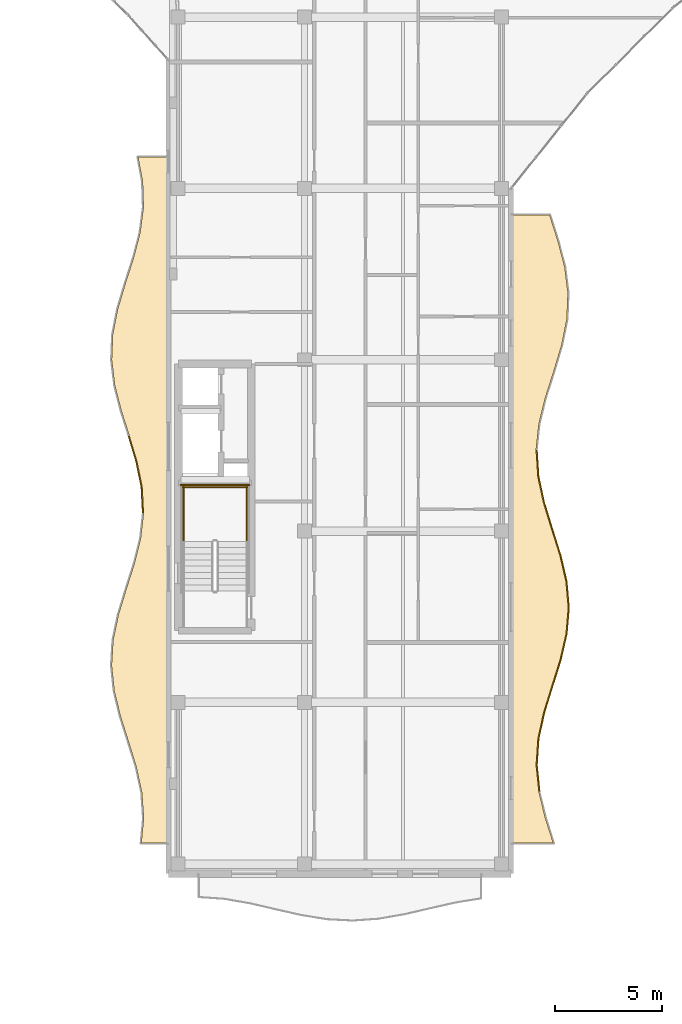
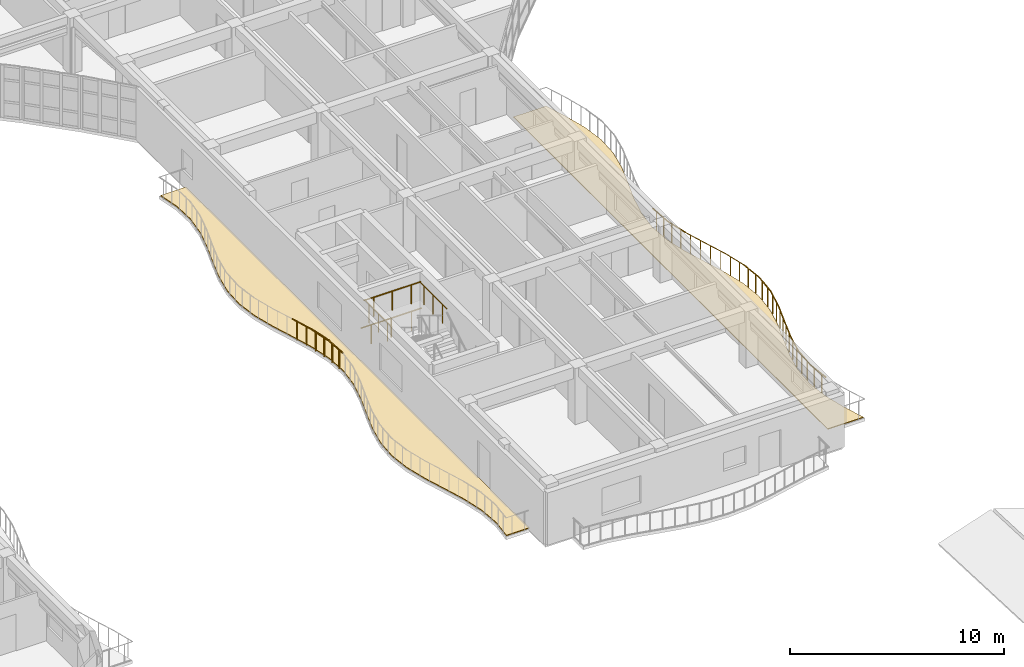
# One storey, part 68 of 89: 20 railings, 2 coverings.
"""IFC4 building model written with IfcOpenShell, lengths in metres."""

from ifc_helpers import new_model, si_unit, direction, frame, origin, origin_2d, place, context, subcontext, project, spatial, polyline, circle, outline, extrude, material, layer, layer_set, type_object, element, save


model = new_model("IFC4")

# Units and contexts
model_context = context("Model", 3, precision=1e-05, world=origin(), true_north=direction((0.0, 1.0)))
body_context = subcontext(model_context, "Body", "Model", "MODEL_VIEW")
ifc_project = project(units=[si_unit("LENGTHUNIT", "METRE"), si_unit("AREAUNIT", "SQUARE_METRE"), si_unit("VOLUMEUNIT", "CUBIC_METRE"), si_unit("PLANEANGLEUNIT", "RADIAN"), si_unit("MASSUNIT", "GRAM", prefix="KILO")], contexts=[model_context])

# Site, building, storey
site_placement = place(None, origin())
site = spatial("IfcSite", under=ifc_project, at=site_placement, CompositionType="ELEMENT")
building_placement = place(site_placement, origin())
building = spatial("IfcBuilding", under=site, at=building_placement, Name="Keldmere Railside Commons", CompositionType="ELEMENT")
storey_placement = place(building_placement, frame((0.0, 0.0, 7.360107421875)))
storey = spatial("IfcBuildingStorey", under=building, at=storey_placement, Name="L02", CompositionType="ELEMENT", Elevation=7.360107421875)

# Railings
ifc_material_1 = material(Name="Steel F-24 (S235)", Category="steel")
railing_type_1 = type_object("IfcRailingType", Name="Balcony & Terrace Steel Balustrade 1100", PredefinedType="BALUSTRADE", material=ifc_material_1)
railing_1_placement = place(storey_placement, frame((65.328125, 59.85009765625, 0.0)))
element("IfcRailing", 1, at=railing_1_placement, inside=storey, type_object=railing_type_1, Name="GR-1 GRD-L02-0957", PredefinedType="BALUSTRADE", context=body_context, shape_type="SweptSolid", body=[
    extrude(circle(Radius=0.02392578125, at=origin_2d()), frame((0.0, 0.0, 1.076171875), z_axis=(-0.102899151086, 0.994691793827, 0.0), x_axis=(-0.994691793827, -0.102899151086, 0.0)), (0.0, 0.0, 1.0), 1.2314453125),
    extrude(circle(Radius=0.02099609375, at=origin_2d()), frame((-0.03173828125, 0.30615234375, 0.0)), (0.0, 0.0, 1.0), 1.048095703125),
    extrude(circle(Radius=0.02099609375, at=origin_2d()), frame((-0.094970703125, 0.918701171875, 0.0)), (0.0, 0.0, 1.0), 1.048095703125),
])
railing_2_placement = place(storey_placement, frame((65.201416015625, 61.074951171875, 0.0)))
element("IfcRailing", 2, at=railing_2_placement, inside=storey, type_object=railing_type_1, Name="GR-1 GRD-L02-0958", PredefinedType="BALUSTRADE", context=body_context, shape_type="SweptSolid", body=[
    extrude(circle(Radius=0.02392578125, at=origin_2d()), frame((0.0, 0.0, 1.076171875), z_axis=(0.066611391643, 0.99777899482, 0.0), x_axis=(-0.99777899482, 0.066611391643, 0.0)), (0.0, 0.0, 1.0), 1.227783203125),
    extrude(circle(Radius=0.02099609375, at=origin_2d()), frame((0.0205078125, 0.30615234375, 0.0)), (0.0, 0.0, 1.0), 1.048095703125),
    extrude(circle(Radius=0.02099609375, at=origin_2d()), frame((0.061279296875, 0.9189453125, 0.0)), (0.0, 0.0, 1.0), 1.048095703125),
])
railing_3_placement = place(storey_placement, frame((65.283203125, 62.300048828125, 0.0)))
element("IfcRailing", 3, at=railing_3_placement, inside=storey, type_object=railing_type_1, Name="GR-1 GRD-L02-0959", PredefinedType="BALUSTRADE", context=body_context, shape_type="SweptSolid", body=[
    extrude(circle(Radius=0.02392578125, at=origin_2d()), frame((0.0, 0.0, 1.076171875), z_axis=(0.213795595542, 0.976878417884, 0.0), x_axis=(-0.976878417884, 0.213795595542, 0.0)), (0.0, 0.0, 1.0), 1.25390625),
    extrude(circle(Radius=0.02099609375, at=origin_2d()), frame((0.06689453125, 0.30615234375, 0.0)), (0.0, 0.0, 1.0), 1.048095703125),
    extrude(circle(Radius=0.02099609375, at=origin_2d()), frame((0.201171875, 0.918701171875, 0.0)), (0.0, 0.0, 1.0), 1.048095703125),
])
railing_4_placement = place(storey_placement, frame((65.55126953125, 63.52490234375, 0.0)))
element("IfcRailing", 4, at=railing_4_placement, inside=storey, type_object=railing_type_1, Name="GR-1 GRD-L02-0960", PredefinedType="BALUSTRADE", context=body_context, shape_type="SweptSolid", body=[
    extrude(circle(Radius=0.02392578125, at=origin_2d()), frame((0.0, 0.0, 1.076171875), z_axis=(0.295650636521, 0.955296132686, 0.0), x_axis=(-0.955296132686, 0.295650636521, 0.0)), (0.0, 0.0, 1.0), 1.282470703125),
    extrude(circle(Radius=0.02099609375, at=origin_2d()), frame((0.0947265625, 0.30615234375, 0.0)), (0.0, 0.0, 1.0), 1.048095703125),
    extrude(circle(Radius=0.02099609375, at=origin_2d()), frame((0.284423828125, 0.9189453125, 0.0)), (0.0, 0.0, 1.0), 1.048095703125),
])
railing_5_placement = place(storey_placement, frame((65.930419921875, 64.75, 0.0)))
element("IfcRailing", 5, at=railing_5_placement, inside=storey, type_object=railing_type_1, Name="GR-1 GRD-L02-0961", PredefinedType="BALUSTRADE", context=body_context, shape_type="SweptSolid", body=[
    extrude(circle(Radius=0.02392578125, at=origin_2d()), frame((0.0, 0.0, 1.076171875), z_axis=(0.299638724875, 0.95405274202, 0.0), x_axis=(-0.95405274202, 0.299638724875, 0.0)), (0.0, 0.0, 1.0), 1.2841796875),
    extrude(circle(Radius=0.02099609375, at=origin_2d()), frame((0.09619140625, 0.30615234375, 0.0)), (0.0, 0.0, 1.0), 1.048095703125),
    extrude(circle(Radius=0.02099609375, at=origin_2d()), frame((0.28857421875, 0.9189453125, 0.0)), (0.0, 0.0, 1.0), 1.048095703125),
])
railing_6_placement = place(storey_placement, frame((66.315185546875, 65.97509765625, 0.0)))
element("IfcRailing", 6, at=railing_6_placement, inside=storey, type_object=railing_type_1, Name="GR-1 GRD-L02-0962", PredefinedType="BALUSTRADE", context=body_context, shape_type="SweptSolid", body=[
    extrude(circle(Radius=0.02392578125, at=origin_2d()), frame((0.0, 0.0, 1.076171875), z_axis=(0.224902059415, 0.974381374858, 0.0), x_axis=(-0.974381374858, 0.224902059415, 0.0)), (0.0, 0.0, 1.0), 1.257080078125),
    extrude(circle(Radius=0.02099609375, at=origin_2d()), frame((0.07080078125, 0.30615234375, 0.0)), (0.0, 0.0, 1.0), 1.048095703125),
    extrude(circle(Radius=0.02099609375, at=origin_2d()), frame((0.2119140625, 0.918701171875, 0.0)), (0.0, 0.0, 1.0), 1.048095703125),
])
railing_7_placement = place(storey_placement, frame((66.597900390625, 67.199951171875, 0.0)))
element("IfcRailing", 7, at=railing_7_placement, inside=storey, type_object=railing_type_1, Name="GR-1 GRD-L02-0963", PredefinedType="BALUSTRADE", context=body_context, shape_type="SweptSolid", body=[
    extrude(circle(Radius=0.02392578125, at=origin_2d()), frame((0.0, 0.0, 1.076171875), z_axis=(0.083012608952, 0.996548496941, 0.0), x_axis=(-0.996548496941, 0.083012608952, 0.0)), (0.0, 0.0, 1.0), 1.229248046875),
    extrude(circle(Radius=0.02099609375, at=origin_2d()), frame((0.025390625, 0.30615234375, 0.0)), (0.0, 0.0, 1.0), 1.048095703125),
    extrude(circle(Radius=0.02099609375, at=origin_2d()), frame((0.07666015625, 0.9189453125, 0.0)), (0.0, 0.0, 1.0), 1.048095703125),
])
railing_8_placement = place(storey_placement, frame((66.699951171875, 68.425048828125, 0.0)))
element("IfcRailing", 8, at=railing_8_placement, inside=storey, type_object=railing_type_1, Name="GR-1 GRD-L02-0964", PredefinedType="BALUSTRADE", context=body_context, shape_type="SweptSolid", body=[
    extrude(circle(Radius=0.02392578125, at=origin_2d()), frame((0.0, 0.0, 1.076171875), z_axis=(-0.086972353557, 0.996210725558, 0.0), x_axis=(-0.996210725558, -0.086972353557, 0.0)), (0.0, 0.0, 1.0), 1.2294921875),
    extrude(circle(Radius=0.02099609375, at=origin_2d()), frame((-0.02685546875, 0.30615234375, 0.0)), (0.0, 0.0, 1.0), 1.048095703125),
    extrude(circle(Radius=0.02099609375, at=origin_2d()), frame((-0.080078125, 0.918701171875, 0.0)), (0.0, 0.0, 1.0), 1.048095703125),
])
railing_9_placement = place(storey_placement, frame((66.593017578125, 69.64990234375, 0.0)))
element("IfcRailing", 9, at=railing_9_placement, inside=storey, type_object=railing_type_1, Name="GR-1 GRD-L02-0965", PredefinedType="BALUSTRADE", context=body_context, shape_type="SweptSolid", body=[
    extrude(circle(Radius=0.02392578125, at=origin_2d()), frame((0.0, 0.0, 1.076171875), z_axis=(-0.227806183302, 0.973706497282, 0.0), x_axis=(-0.973706497282, -0.227806183302, 0.0)), (0.0, 0.0, 1.0), 1.25830078125),
    extrude(circle(Radius=0.02099609375, at=origin_2d()), frame((-0.07177734375, 0.30615234375, 0.0)), (0.0, 0.0, 1.0), 1.048095703125),
    extrude(circle(Radius=0.02099609375, at=origin_2d()), frame((-0.21484375, 0.9189453125, 0.0)), (0.0, 0.0, 1.0), 1.048095703125),
])
railing_10_placement = place(storey_placement, frame((66.306396484375, 70.875, 0.0)))
element("IfcRailing", 10, at=railing_10_placement, inside=storey, type_object=railing_type_1, Name="GR-1 GRD-L02-0966", PredefinedType="BALUSTRADE", context=body_context, shape_type="SweptSolid", body=[
    extrude(circle(Radius=0.02392578125, at=origin_2d()), frame((0.0, 0.0, 1.076171875), z_axis=(-0.300503634622, 0.953780669535, 0.0), x_axis=(-0.953780669535, -0.300503634622, 0.0)), (0.0, 0.0, 1.0), 1.284423828125),
    extrude(circle(Radius=0.02099609375, at=origin_2d()), frame((-0.096435546875, 0.30615234375, 0.0)), (0.0, 0.0, 1.0), 1.048095703125),
    extrude(circle(Radius=0.02099609375, at=origin_2d()), frame((-0.28955078125, 0.9189453125, 0.0)), (0.0, 0.0, 1.0), 1.048095703125),
])
railing_11_placement = place(storey_placement, frame((65.92041015625, 72.10009765625, 0.0)))
element("IfcRailing", 11, at=railing_11_placement, inside=storey, type_object=railing_type_1, Name="GR-1 GRD-L02-0967", PredefinedType="BALUSTRADE", context=body_context, shape_type="SweptSolid", body=[
    extrude(circle(Radius=0.02392578125, at=origin_2d()), frame((0.0, 0.0, 1.076171875), z_axis=(-0.294487382545, 0.955655367547, 0.0), x_axis=(-0.955655367547, -0.294487382545, 0.0)), (0.0, 0.0, 1.0), 1.28173828125),
    extrude(circle(Radius=0.02099609375, at=origin_2d()), frame((-0.09423828125, 0.30615234375, 0.0)), (0.0, 0.0, 1.0), 1.048095703125),
    extrude(circle(Radius=0.02099609375, at=origin_2d()), frame((-0.283203125, 0.918701171875, 0.0)), (0.0, 0.0, 1.0), 1.048095703125),
])
railing_12_placement = place(storey_placement, frame((65.54296875, 73.324951171875, 0.0)))
element("IfcRailing", 12, at=railing_12_placement, inside=storey, type_object=railing_type_1, Name="GR-1 GRD-L02-0968", PredefinedType="BALUSTRADE", context=body_context, shape_type="SweptSolid", body=[
    extrude(circle(Radius=0.02392578125, at=origin_2d()), frame((0.0, 0.0, 1.076171875), z_axis=(-0.210779473189, 0.977533638133, 0.0), x_axis=(-0.977533638133, -0.210779473189, 0.0)), (0.0, 0.0, 1.0), 1.253173828125),
    extrude(circle(Radius=0.02099609375, at=origin_2d()), frame((-0.06591796875, 0.30615234375, 0.0)), (0.0, 0.0, 1.0), 1.048095703125),
    extrude(circle(Radius=0.02099609375, at=origin_2d()), frame((-0.1982421875, 0.9189453125, 0.0)), (0.0, 0.0, 1.0), 1.048095703125),
])
railing_13_placement = place(storey_placement, frame((65.27880859375, 74.550048828125, 0.0)))
element("IfcRailing", 13, at=railing_13_placement, inside=storey, type_object=railing_type_1, Name="GR-1 GRD-L02-0969", PredefinedType="BALUSTRADE", context=body_context, shape_type="SweptSolid", body=[
    extrude(circle(Radius=0.02392578125, at=origin_2d()), frame((0.0, 0.0, 1.076171875), z_axis=(-0.062663133632, 0.998034734708, 0.0), x_axis=(-0.998034734708, -0.062663133632, 0.0)), (0.0, 0.0, 1.0), 1.227294921875),
    extrude(circle(Radius=0.02099609375, at=origin_2d()), frame((-0.019287109375, 0.30615234375, 0.0)), (0.0, 0.0, 1.0), 1.048095703125),
    extrude(circle(Radius=0.02099609375, at=origin_2d()), frame((-0.0576171875, 0.918701171875, 0.0)), (0.0, 0.0, 1.0), 1.048095703125),
])
railing_14_placement = place(storey_placement, frame((46.796142578125, 72.855712890625, 0.0)))
element("IfcRailing", 14, at=railing_14_placement, inside=storey, type_object=railing_type_1, Name="GR-1 GRD-L02-0994", PredefinedType="BALUSTRADE", context=body_context, shape_type="SweptSolid", body=[
    extrude(circle(Radius=0.02392578125, at=origin_2d()), frame((0.0, 0.0, 1.076171875), z_axis=(-0.050663954003, 0.998715757243, 0.0), x_axis=(-0.998715757243, -0.050663954003, 0.0)), (0.0, 0.0, 1.0), 1.190185546875),
    extrude(circle(Radius=0.02099609375, at=origin_2d()), frame((-0.01513671875, 0.297119140625, 0.0)), (0.0, 0.0, 1.0), 1.048095703125),
    extrude(circle(Radius=0.02099609375, at=origin_2d()), frame((-0.045166015625, 0.8916015625, 0.0)), (0.0, 0.0, 1.0), 1.048095703125),
])
railing_15_placement = place(storey_placement, frame((46.73583984375, 74.04443359375, 0.0)))
element("IfcRailing", 15, at=railing_15_placement, inside=storey, type_object=railing_type_1, Name="GR-1 GRD-L02-0995", PredefinedType="BALUSTRADE", context=body_context, shape_type="SweptSolid", body=[
    extrude(circle(Radius=0.02392578125, at=origin_2d()), frame((0.0, 0.0, 1.076171875), z_axis=(-0.198437762172, 0.980113490645, 0.0), x_axis=(-0.980113490645, -0.198437762172, 0.0)), (0.0, 0.0, 1.0), 1.213134765625),
    extrude(circle(Radius=0.02099609375, at=origin_2d()), frame((-0.06005859375, 0.29736328125, 0.0)), (0.0, 0.0, 1.0), 1.048095703125),
    extrude(circle(Radius=0.02099609375, at=origin_2d()), frame((-0.1806640625, 0.8916015625, 0.0)), (0.0, 0.0, 1.0), 1.048095703125),
])
railing_16_placement = place(storey_placement, frame((46.4951171875, 75.2333984375, 0.0)))
element("IfcRailing", 16, at=railing_16_placement, inside=storey, type_object=railing_type_1, Name="GR-1 GRD-L02-0996", PredefinedType="BALUSTRADE", context=body_context, shape_type="SweptSolid", body=[
    extrude(circle(Radius=0.02392578125, at=origin_2d()), frame((0.0, 0.0, 1.076171875), z_axis=(-0.28830398046, 0.957538936467, 0.0), x_axis=(-0.957538936467, -0.28830398046, 0.0)), (0.0, 0.0, 1.0), 1.241455078125),
    extrude(circle(Radius=0.02099609375, at=origin_2d()), frame((-0.08935546875, 0.297119140625, 0.0)), (0.0, 0.0, 1.0), 1.048095703125),
    extrude(circle(Radius=0.02099609375, at=origin_2d()), frame((-0.2685546875, 0.8916015625, 0.0)), (0.0, 0.0, 1.0), 1.048095703125),
])
railing_type_2 = type_object("IfcRailingType", Name="Stair Well Steel Guardrail 1100", PredefinedType="BALUSTRADE", material=ifc_material_1)
for number, where, name in (
    (17, (51.64990234375, 71.52001953125, 1.599853515625), "L02 ST-C1 stair guard 3"),
    (18, (48.699951171875, 71.52001953125, 1.599853515625), "L02 ST-C1 stair guard 4"),
):
    element("IfcRailing", number, at=place(storey_placement, frame(where)), inside=storey, type_object=railing_type_2, Name=name, PredefinedType="BALUSTRADE", context=body_context, shape_type="SweptSolid", body=[
        extrude(circle(Radius=0.02392578125, at=origin_2d()), frame((0.0, 0.0, 1.076171875), z_axis=(0.0, 1.0, 0.0), x_axis=(-1.0, 0.0, 0.0)), (0.0, 0.0, 1.0), 2.580078125),
        extrude(circle(Radius=0.02099609375, at=origin_2d()), frame((0.0, 0.429931640625, 0.0)), (0.0, 0.0, 1.0), 1.048095703125),
        extrude(circle(Radius=0.02099609375, at=origin_2d()), frame((0.0, 1.2900390625, 0.0)), (0.0, 0.0, 1.0), 1.048095703125),
        extrude(circle(Radius=0.02099609375, at=origin_2d()), frame((0.0, 2.150146484375, 0.0)), (0.0, 0.0, 1.0), 1.048095703125),
    ])
railing_17_placement = place(storey_placement, frame((51.699951171875, 74.050048828125, 1.599853515625)))
element("IfcRailing", 19, at=railing_17_placement, inside=storey, type_object=railing_type_2, Name="L02 ST-C1 stair guard 5", PredefinedType="BALUSTRADE", context=body_context, shape_type="SweptSolid", body=[
    extrude(circle(Radius=0.02392578125, at=origin_2d()), frame((0.0, 0.0, 1.076171875), z_axis=(-1.0, 0.0, 0.0), x_axis=(0.0, -1.0, 0.0)), (0.0, 0.0, 1.0), 3.050048828125),
    extrude(circle(Radius=0.02099609375, at=origin_2d()), frame((-0.50830078125, 0.0, 0.0)), (0.0, 0.0, 1.0), 1.048095703125),
    extrude(circle(Radius=0.02099609375, at=origin_2d()), frame((-1.52490234375, 0.0, 0.0)), (0.0, 0.0, 1.0), 1.048095703125),
    extrude(circle(Radius=0.02099609375, at=origin_2d()), frame((-2.541748046875, 0.0, 0.0)), (0.0, 0.0, 1.0), 1.048095703125),
])
railing_18_placement = place(storey_placement, frame((51.800048828125, 74.14990234375, 0.0)))
element("IfcRailing", 20, at=railing_18_placement, inside=storey, type_object=railing_type_2, Name="L02 ST-C1 stair guard 12", PredefinedType="BALUSTRADE", context=body_context, shape_type="SweptSolid", body=[
    extrude(circle(Radius=0.02392578125, at=origin_2d()), frame((0.0, 0.0, 1.076171875), z_axis=(-1.0, 0.0, 0.0), x_axis=(0.0, -1.0, 0.0)), (0.0, 0.0, 1.0), 3.25),
    extrude(circle(Radius=0.02099609375, at=origin_2d()), frame((-0.541748046875, 0.0, 0.0)), (0.0, 0.0, 1.0), 1.048095703125),
    extrude(circle(Radius=0.02099609375, at=origin_2d()), frame((-1.625, 0.0, 0.0)), (0.0, 0.0, 1.0), 1.048095703125),
    extrude(circle(Radius=0.02099609375, at=origin_2d()), frame((-2.708251953125, 0.0, 0.0)), (0.0, 0.0, 1.0), 1.048095703125),
])

# Coverings
ifc_material_2 = material(Name="White Precast Concrete C35/45", Category="concrete")
ifc_layer = layer(ifc_material_2, 0.044921875, Name="White Architectural Balcony Ribbon Cladding 45")
ifc_layer_set = layer_set([ifc_layer], Name="White Precast Concrete C35/45")
covering_type = type_object("IfcCoveringType", Name="White Architectural Balcony Ribbon Cladding 45", PredefinedType="FLOORING", material=ifc_layer_set)
covering_1_placement = place(storey_placement, origin())
element("IfcCovering", 21, at=covering_1_placement, inside=storey, type_object=covering_type, Name="CLG-WB C L02 CE White Balcony Ribbon", PredefinedType="FLOORING", context=body_context, shape_type="SweptSolid", body=[
    extrude(outline(polyline([(65.590576171875, 58.61279296875), (65.58984375, 58.615478515625), (65.289306640625, 59.840576171875), (65.288330078125, 59.845947265625), (65.16162109375, 61.07080078125), (65.161376953125, 61.07421875), (65.161376953125, 61.07763671875), (65.243408203125, 62.302734375), (65.24365234375, 62.3056640625), (65.244140625, 62.30859375), (65.51220703125, 63.533447265625), (65.512939453125, 63.536865234375), (65.89208984375, 64.76171875), (65.89208984375, 64.761962890625), (66.276611328125, 65.985595703125), (66.558349609375, 67.206298828125), (66.659912109375, 68.4248046875), (66.55322265625, 69.643798828125), (66.267822265625, 70.864501953125), (65.88232421875, 72.087890625), (65.88232421875, 72.088134765625), (65.504638671875, 73.313232421875), (65.50390625, 73.316650390625), (65.23974609375, 74.54150390625), (65.2392578125, 74.54443359375), (65.239013671875, 74.547607421875), (65.162109375, 75.7724609375), (65.161865234375, 75.77587890625), (65.162109375, 75.779296875), (65.2939453125, 77.00439453125), (65.294921875, 77.009521484375), (65.5986328125, 78.234619140625), (65.599365234375, 78.2373046875), (65.990234375, 79.4619140625), (66.358642578125, 80.684814453125), (66.601806640625, 81.90478515625), (66.65283203125, 83.123291015625), (66.49755859375, 84.34228515625), (66.1787109375, 85.563720703125), (65.7939453125, 86.760009765625), (64.0400390625, 86.760009765625), (64.0400390625, 57.43994140625), (65.9638671875, 57.43994140625), (65.590576171875, 58.61279296875)])), origin(), (0.0, 0.0, 1.0), 0.044921875),
])
covering_2_placement = place(storey_placement, origin())
element("IfcCovering", 22, at=covering_2_placement, inside=storey, type_object=covering_type, Name="CLG-WB C L02 CW White Balcony Ribbon", PredefinedType="FLOORING", context=body_context, shape_type="SweptSolid", body=[
    extrude(outline(polyline([(47.9599609375, 89.4599609375), (46.577392578125, 89.4599609375), (46.79150390625, 88.318603515625), (46.7919921875, 88.3154296875), (46.792236328125, 88.3125), (46.830322265625, 87.12353515625), (46.830322265625, 87.1201171875), (46.830078125, 87.116943359375), (46.673583984375, 85.927978515625), (46.672607421875, 85.923095703125), (46.3623046875, 84.734375), (46.361572265625, 84.732177734375), (45.9794921875, 83.543701171875), (45.626708984375, 82.357177734375), (45.3955078125, 81.173095703125), (45.346435546875, 79.990478515625), (45.4921875, 78.807373046875), (45.794921875, 77.622314453125), (46.17529296875, 76.434326171875), (46.17529296875, 76.43359375), (46.533203125, 75.244873046875), (46.5341796875, 75.2412109375), (46.77490234375, 74.05224609375), (46.775390625, 74.04931640625), (46.775634765625, 74.04638671875), (46.8359375, 72.857666015625), (46.836181640625, 72.854248046875), (46.835693359375, 72.85107421875), (46.699951171875, 71.662109375), (46.698974609375, 71.656982421875), (46.402587890625, 70.468017578125), (46.40185546875, 70.465576171875), (46.022705078125, 69.277099609375), (45.66162109375, 68.090087890625), (45.4130859375, 66.90576171875), (45.342041015625, 65.72314453125), (45.466796875, 64.540283203125), (45.755126953125, 63.355224609375), (46.131591796875, 62.167724609375), (46.1318359375, 62.16748046875), (46.497314453125, 60.978515625), (46.498291015625, 60.97509765625), (46.756103515625, 59.786376953125), (46.7568359375, 59.780517578125), (46.839111328125, 58.591796875), (46.83935546875, 58.58837890625), (46.839111328125, 58.585205078125), (46.728515625, 57.43994140625), (47.9599609375, 57.43994140625), (47.9599609375, 89.4599609375)])), origin(), (0.0, 0.0, 1.0), 0.044921875),
])

save(model, "model.ifc")
